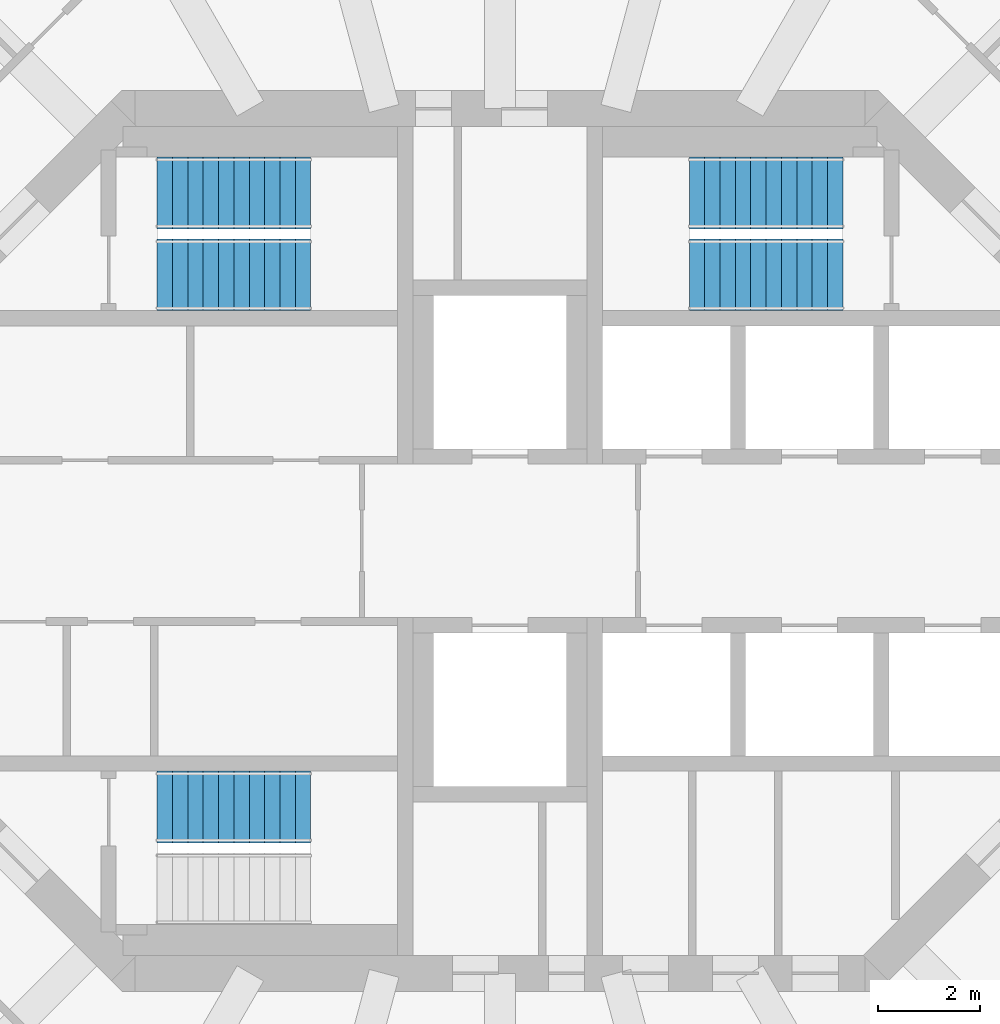
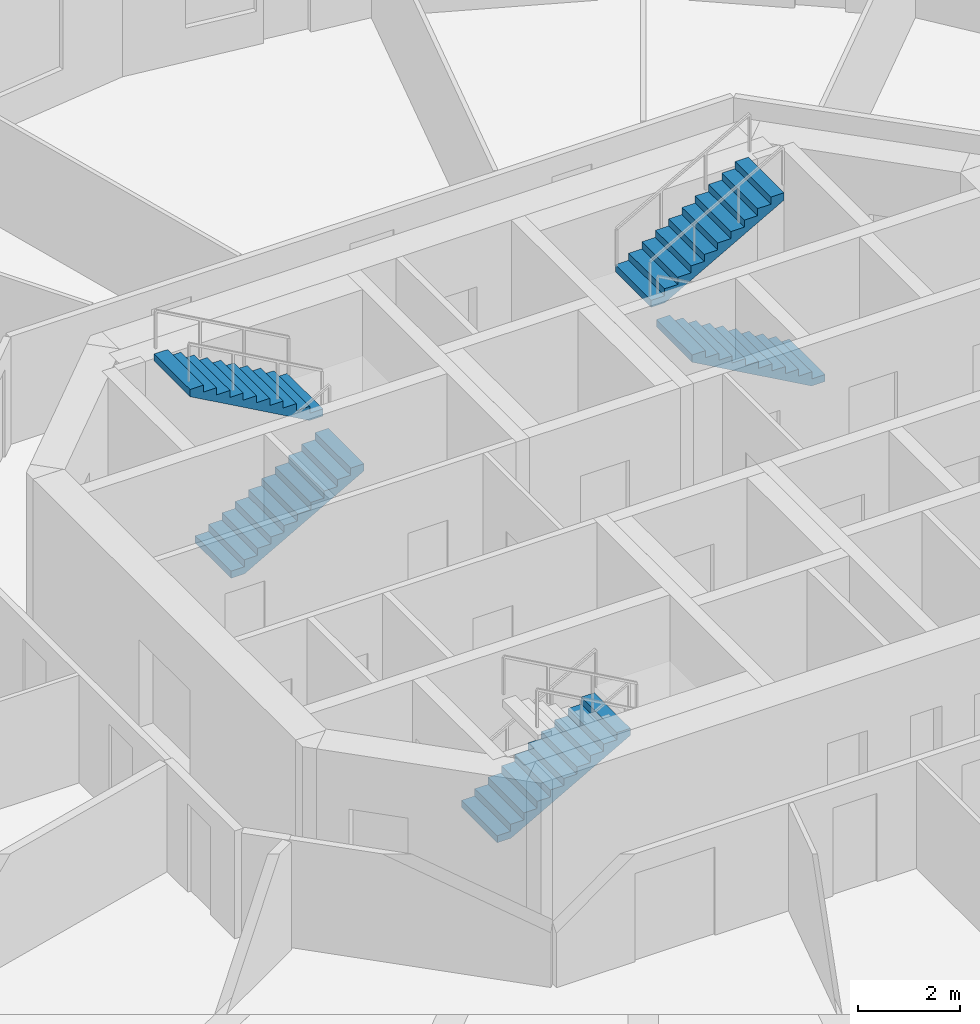
# One storey, part 7 of 9: 5 stair flights, 3 elements without a shape of their own.
"""IFC4 building model written with IfcOpenShell, lengths in metres."""

from ifc_helpers import new_model, si_unit, direction, frame, origin, place, context, subcontext, project, spatial, polyline, outline, extrude, material, type_object, element, aggregate, save


model = new_model("IFC4")

# Units and contexts
model_context = context("Model", 3, precision=1e-05, world=origin(), true_north=direction((0.0, 1.0)))
body_context = subcontext(model_context, "Body", "Model", "MODEL_VIEW")
ifc_project = project(units=[si_unit("LENGTHUNIT", "METRE"), si_unit("AREAUNIT", "SQUARE_METRE"), si_unit("VOLUMEUNIT", "CUBIC_METRE"), si_unit("PLANEANGLEUNIT", "RADIAN"), si_unit("MASSUNIT", "GRAM", prefix="KILO")], contexts=[model_context])

# Site, building, storey
site_placement = place(None, origin())
site = spatial("IfcSite", under=ifc_project, at=site_placement, CompositionType="ELEMENT")
building_placement = place(site_placement, origin())
building = spatial("IfcBuilding", under=site, at=building_placement, Name="Torre Triforio", CompositionType="ELEMENT")
storey_placement = place(building_placement, frame((0.0, 0.0, 244.60009765625)))
storey = spatial("IfcBuildingStorey", under=building, at=storey_placement, Name="L56", CompositionType="ELEMENT", Elevation=244.60009765625)

# Stair, stair flights
ifc_material = material(Name="Concrete C40", Category="concrete")
stair_type = type_object("IfcStairType", Name="STAIR HALF-TURN", PredefinedType="HALF_TURN_STAIR", material=ifc_material)
stair_1_placement = place(storey_placement, origin())
stair_1 = element("IfcStair", 1, at=stair_1_placement, inside=storey, type_object=stair_type, Name="Exit stair 1", PredefinedType="HALF_TURN_STAIR")
stair_flight_type = type_object("IfcStairFlightType", Name="STAIR FLIGHT 1400", PredefinedType="STRAIGHT", material=ifc_material)
stair_flight_1_placement = place(storey_placement, frame((-6.699951171875, 5.199951171875, 0.0), z_axis=(0.0, 0.0, 1.0), x_axis=(1.0, 0.0, 0.0)))
stair_flight_1 = element("IfcStairFlight", 2, at=stair_flight_1_placement, type_object=stair_flight_type, Name="ST1 flight 1", NumberOfRisers=11, NumberOfTreads=10, PredefinedType="STRAIGHT", RiserHeight=0.168181818, TreadLength=0.3, context=body_context, shape_type="SweptSolid", body=[
    extrude(outline(polyline([(0.0, 0.0), (0.0, 0.168212890625), (0.300048828125, 0.168212890625), (0.300048828125, 0.33642578125), (0.60009765625, 0.33642578125), (0.60009765625, 0.504638671875), (0.89990234375, 0.504638671875), (0.89990234375, 0.672607421875), (1.199951171875, 0.672607421875), (1.199951171875, 0.8408203125), (1.5, 0.8408203125), (1.5, 1.009033203125), (1.800048828125, 1.009033203125), (1.800048828125, 1.17724609375), (2.10009765625, 1.17724609375), (2.10009765625, 1.345458984375), (2.39990234375, 1.345458984375), (2.39990234375, 1.513671875), (2.699951171875, 1.513671875), (2.699951171875, 1.681884765625), (3.0, 1.681884765625), (3.0, 1.85009765625), (3.0, 1.510009765625), (0.306640625, 0.0), (0.0, 0.0)])), frame((0.0, 0.699951171875, 0.0), z_axis=(0.0, -1.0, 0.0), x_axis=(1.0, 0.0, 0.0)), (0.0, 0.0, 1.0), 1.39990234375),
])
stair_flight_2_placement = place(storey_placement, frame((-3.699951171875, 6.800048828125, 1.849853515625), z_axis=(0.0, 0.0, 1.0), x_axis=(-1.0, 0.0, 0.0)))
stair_flight_2 = element("IfcStairFlight", 3, at=stair_flight_2_placement, type_object=stair_flight_type, Name="ST1 flight 2", NumberOfRisers=11, NumberOfTreads=10, PredefinedType="STRAIGHT", RiserHeight=0.168181818, TreadLength=0.3, context=body_context, shape_type="SweptSolid", body=[
    extrude(outline(polyline([(0.0, 0.0), (0.0, 0.168212890625), (0.300048828125, 0.168212890625), (0.300048828125, 0.33642578125), (0.60009765625, 0.33642578125), (0.60009765625, 0.504638671875), (0.89990234375, 0.504638671875), (0.89990234375, 0.672607421875), (1.199951171875, 0.672607421875), (1.199951171875, 0.8408203125), (1.5, 0.8408203125), (1.5, 1.009033203125), (1.800048828125, 1.009033203125), (1.800048828125, 1.17724609375), (2.10009765625, 1.17724609375), (2.10009765625, 1.345458984375), (2.39990234375, 1.345458984375), (2.39990234375, 1.513671875), (2.699951171875, 1.513671875), (2.699951171875, 1.681884765625), (3.0, 1.681884765625), (3.0, 1.85009765625), (3.0, 1.510009765625), (0.306640625, 0.0), (0.0, 0.0)])), frame((0.0, 0.699951171875, 0.0), z_axis=(0.0, -1.0, 0.0), x_axis=(1.0, 0.0, 0.0)), (0.0, 0.0, 1.0), 1.39990234375),
])
aggregate(stair_1, [stair_flight_1, stair_flight_2])

stair_2_placement = place(storey_placement, origin())
stair_2 = element("IfcStair", 4, at=stair_2_placement, inside=storey, type_object=stair_type, Name="Exit stair 2", PredefinedType="HALF_TURN_STAIR")
stair_flight_3_placement = place(storey_placement, frame((6.699951171875, 5.199951171875, 0.0), z_axis=(0.0, 0.0, 1.0), x_axis=(-1.0, 0.0, 0.0)))
stair_flight_3 = element("IfcStairFlight", 5, at=stair_flight_3_placement, type_object=stair_flight_type, Name="ST2 flight 1", NumberOfRisers=11, NumberOfTreads=10, PredefinedType="STRAIGHT", RiserHeight=0.168181818, TreadLength=0.3, context=body_context, shape_type="SweptSolid", body=[
    extrude(outline(polyline([(0.0, 0.0), (0.0, 0.168212890625), (0.300048828125, 0.168212890625), (0.300048828125, 0.33642578125), (0.60009765625, 0.33642578125), (0.60009765625, 0.504638671875), (0.89990234375, 0.504638671875), (0.89990234375, 0.672607421875), (1.199951171875, 0.672607421875), (1.199951171875, 0.8408203125), (1.5, 0.8408203125), (1.5, 1.009033203125), (1.800048828125, 1.009033203125), (1.800048828125, 1.17724609375), (2.10009765625, 1.17724609375), (2.10009765625, 1.345458984375), (2.39990234375, 1.345458984375), (2.39990234375, 1.513671875), (2.699951171875, 1.513671875), (2.699951171875, 1.681884765625), (3.0, 1.681884765625), (3.0, 1.85009765625), (3.0, 1.510009765625), (0.306640625, 0.0), (0.0, 0.0)])), frame((0.0, 0.699951171875, 0.0), z_axis=(0.0, -1.0, 0.0), x_axis=(1.0, 0.0, 0.0)), (0.0, 0.0, 1.0), 1.39990234375),
])
stair_flight_4_placement = place(storey_placement, frame((3.699951171875, 6.800048828125, 1.849853515625), z_axis=(0.0, 0.0, 1.0), x_axis=(1.0, 0.0, 0.0)))
stair_flight_4 = element("IfcStairFlight", 6, at=stair_flight_4_placement, type_object=stair_flight_type, Name="ST2 flight 2", NumberOfRisers=11, NumberOfTreads=10, PredefinedType="STRAIGHT", RiserHeight=0.168181818, TreadLength=0.3, context=body_context, shape_type="SweptSolid", body=[
    extrude(outline(polyline([(0.0, 0.0), (0.0, 0.168212890625), (0.300048828125, 0.168212890625), (0.300048828125, 0.33642578125), (0.60009765625, 0.33642578125), (0.60009765625, 0.504638671875), (0.89990234375, 0.504638671875), (0.89990234375, 0.672607421875), (1.199951171875, 0.672607421875), (1.199951171875, 0.8408203125), (1.5, 0.8408203125), (1.5, 1.009033203125), (1.800048828125, 1.009033203125), (1.800048828125, 1.17724609375), (2.10009765625, 1.17724609375), (2.10009765625, 1.345458984375), (2.39990234375, 1.345458984375), (2.39990234375, 1.513671875), (2.699951171875, 1.513671875), (2.699951171875, 1.681884765625), (3.0, 1.681884765625), (3.0, 1.85009765625), (3.0, 1.510009765625), (0.306640625, 0.0), (0.0, 0.0)])), frame((0.0, 0.699951171875, 0.0), z_axis=(0.0, -1.0, 0.0), x_axis=(1.0, 0.0, 0.0)), (0.0, 0.0, 1.0), 1.39990234375),
])
aggregate(stair_2, [stair_flight_3, stair_flight_4])

# Stair, stair flight
stair_3_placement = place(storey_placement, origin())
stair_3 = element("IfcStair", 7, at=stair_3_placement, inside=storey, type_object=stair_type, Name="Exit stair 3", PredefinedType="HALF_TURN_STAIR")
stair_flight_5_placement = place(storey_placement, frame((-6.699951171875, -5.199951171875, 0.0), z_axis=(0.0, 0.0, 1.0), x_axis=(1.0, 0.0, 0.0)))
stair_flight_5 = element("IfcStairFlight", 8, at=stair_flight_5_placement, type_object=stair_flight_type, Name="ST3 flight 1", NumberOfRisers=11, NumberOfTreads=10, PredefinedType="STRAIGHT", RiserHeight=0.168181818, TreadLength=0.3, context=body_context, shape_type="SweptSolid", body=[
    extrude(outline(polyline([(0.0, 0.0), (0.0, 0.168212890625), (0.300048828125, 0.168212890625), (0.300048828125, 0.33642578125), (0.60009765625, 0.33642578125), (0.60009765625, 0.504638671875), (0.89990234375, 0.504638671875), (0.89990234375, 0.672607421875), (1.199951171875, 0.672607421875), (1.199951171875, 0.8408203125), (1.5, 0.8408203125), (1.5, 1.009033203125), (1.800048828125, 1.009033203125), (1.800048828125, 1.17724609375), (2.10009765625, 1.17724609375), (2.10009765625, 1.345458984375), (2.39990234375, 1.345458984375), (2.39990234375, 1.513671875), (2.699951171875, 1.513671875), (2.699951171875, 1.681884765625), (3.0, 1.681884765625), (3.0, 1.85009765625), (3.0, 1.510009765625), (0.306640625, 0.0), (0.0, 0.0)])), frame((0.0, 0.699951171875, 0.0), z_axis=(0.0, -1.0, 0.0), x_axis=(1.0, 0.0, 0.0)), (0.0, 0.0, 1.0), 1.39990234375),
])
aggregate(stair_3, [stair_flight_5])

save(model, "model.ifc")
